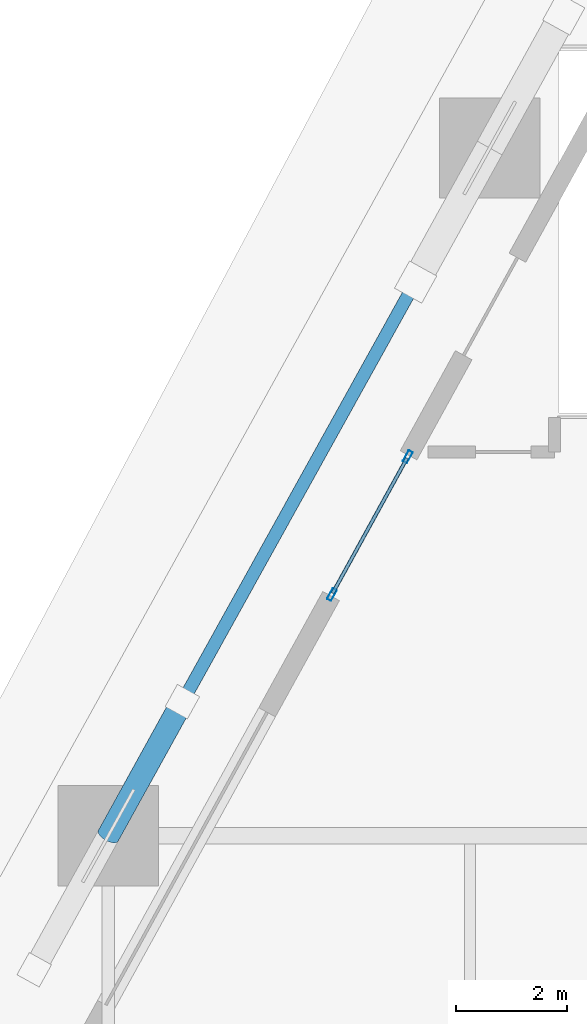
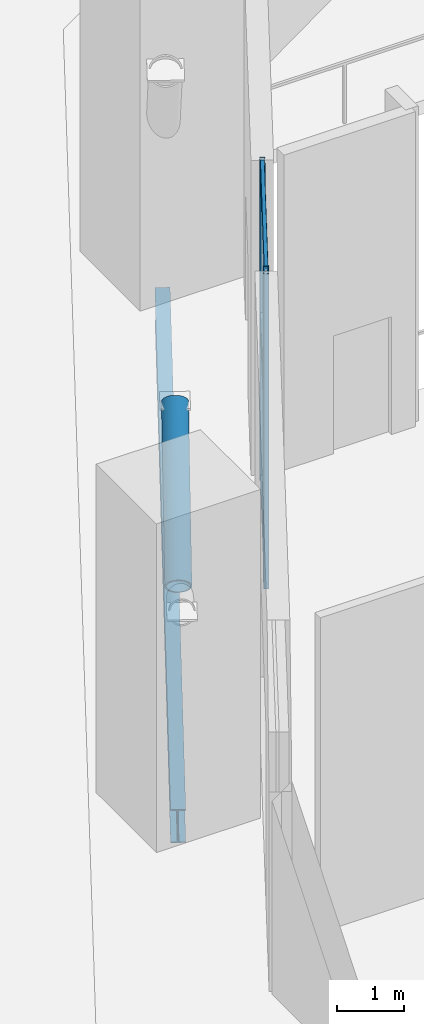
# One storey, part 10 of 22: 6 members, 1 beam, 1 element without a shape of its own.
"""IFC4 building model written with IfcOpenShell, lengths in metres."""

from ifc_helpers import new_model, si_unit, direction, frame, origin, origin_2d, place, context, subcontext, project, spatial, hollow_rectangle, hollow_circle, i_section, extrude, material, layer, layer_set, material_profile, profile_set, type_object, element, aggregate, save


model = new_model("IFC4")

# Units and contexts
model_context = context("Model", 3, precision=1e-05, world=origin(), true_north=direction((0.0, 1.0)))
body_context = subcontext(model_context, "Body", "Model", "MODEL_VIEW")
ifc_project = project(units=[si_unit("LENGTHUNIT", "METRE"), si_unit("AREAUNIT", "SQUARE_METRE"), si_unit("VOLUMEUNIT", "CUBIC_METRE"), si_unit("PLANEANGLEUNIT", "RADIAN"), si_unit("MASSUNIT", "GRAM", prefix="KILO")], contexts=[model_context])

# Site, building, storey
site_placement = place(None, origin())
site = spatial("IfcSite", under=ifc_project, at=site_placement, CompositionType="ELEMENT")
building_placement = place(site_placement, origin())
building = spatial("IfcBuilding", under=site, at=building_placement, Name="Cinnabar Lancet Tower", CompositionType="ELEMENT")
storey_placement = place(building_placement, origin())
storey = spatial("IfcBuildingStorey", under=building, at=storey_placement, Name="L00", CompositionType="ELEMENT", Elevation=0.0)

# Curtain wall, members
ifc_material_1 = material(Name="Thermally broken bronze-anodized aluminium and low-E glass", Category="aluminium")
ifc_layer = layer(ifc_material_1, 0.179931640625)
ifc_layer_set = layer_set([ifc_layer], Name="Thermally broken bronze-anodized aluminium and low-E glass")
curtain_wall_type = type_object("IfcCurtainWallType", Name="ENV-CW-SYS-01", PredefinedType="NOTDEFINED", material=ifc_layer_set)
curtain_wall_placement = place(storey_placement, origin())
curtain_wall = element("IfcCurtainWall", 1, at=curtain_wall_placement, inside=storey, type_object=curtain_wall_type, Name="L00 Face 5 Lobby Curtain Wall", PredefinedType="NOTDEFINED")
ifc_material_2 = material(Name="Anodized architectural aluminium 6063-T6", Category="aluminium")
ifc_material_profile_1 = material_profile(ifc_material_2, hollow_rectangle(XDim=0.0849609375, YDim=0.219970703125, WallThickness=0.0048828125, InnerFilletRadius=0.00244140625, OuterFilletRadius=0.007568359375, at=origin_2d()), Name="CW-MUL 220x85x5")
ifc_profile_set_1 = profile_set([ifc_material_profile_1], Name="Anodized architectural aluminium 6063-T6")
member_type_1 = type_object("IfcMemberType", Name="ENV-CW-MUL-220", PredefinedType="MULLION", material=ifc_profile_set_1)
member_1_placement = place(storey_placement, frame((8.923583984375, 36.2373046875, 0.0), z_axis=(0.0, 0.0, 1.0), x_axis=(-0.875981693706, 0.482344350326, 0.0)))
member_1 = element("IfcMember", 2, at=member_1_placement, type_object=member_type_1, Name="CW-01 mullion 1", PredefinedType="MULLION", context=body_context, shape_type="SweptSolid", body=[
    extrude(hollow_rectangle(XDim=0.0849609375, YDim=0.219970703125, WallThickness=0.0048828125, InnerFilletRadius=0.00244140625, OuterFilletRadius=0.007568359375, at=origin_2d()), origin(), (0.0, 0.0, 1.0), 5.75),
])
member_2_placement = place(storey_placement, frame((10.28662109375, 38.712646484375, 0.0), z_axis=(0.0, 0.0, 1.0), x_axis=(-0.875981693706, 0.482344350326, 0.0)))
member_2 = element("IfcMember", 3, at=member_2_placement, type_object=member_type_1, Name="CW-01 mullion 2", PredefinedType="MULLION", context=body_context, shape_type="SweptSolid", body=[
    extrude(hollow_rectangle(XDim=0.0849609375, YDim=0.219970703125, WallThickness=0.0048828125, InnerFilletRadius=0.00244140625, OuterFilletRadius=0.007568359375, at=origin_2d()), origin(), (0.0, 0.0, 1.0), 5.75),
])
ifc_material_3 = material(Name="Anodized architectural aluminium 6063-T6", Category="aluminium")
ifc_material_profile_2 = material_profile(ifc_material_3, hollow_rectangle(XDim=0.06494140625, YDim=0.14990234375, WallThickness=0.00390625, InnerFilletRadius=0.001953125, OuterFilletRadius=0.006103515625, at=origin_2d()), Name="CW-TRN 150x65x4")
ifc_profile_set_2 = profile_set([ifc_material_profile_2], Name="Anodized architectural aluminium 6063-T6")
member_type_2 = type_object("IfcMemberType", Name="ENV-CW-TRN-160", PredefinedType="USERDEFINED", material=ifc_profile_set_2)
member_3_placement = place(storey_placement, frame((8.93798828125, 36.263671875, 0.030029296875), z_axis=(0.482311769048, 0.875999633241, 0.0), x_axis=(-0.875999633241, 0.482311769048, 0.0)))
member_3 = element("IfcMember", 4, at=member_3_placement, type_object=member_type_2, Name="CW-01 transom 1.1", ObjectType="TRANSOM", PredefinedType="USERDEFINED", context=body_context, shape_type="SweptSolid", body=[
    extrude(hollow_rectangle(XDim=0.06494140625, YDim=0.14990234375, WallThickness=0.00390625, InnerFilletRadius=0.001953125, OuterFilletRadius=0.006103515625, at=origin_2d()), origin(), (0.0, 0.0, 1.0), 2.765869140625),
])
member_4_placement = place(storey_placement, frame((8.93798828125, 36.263671875, 2.989990234375), z_axis=(0.482311769048, 0.875999633241, 0.0), x_axis=(-0.875999633241, 0.482311769048, 0.0)))
member_4 = element("IfcMember", 5, at=member_4_placement, type_object=member_type_2, Name="CW-01 transom 1.2", ObjectType="TRANSOM", PredefinedType="USERDEFINED", context=body_context, shape_type="SweptSolid", body=[
    extrude(hollow_rectangle(XDim=0.06494140625, YDim=0.14990234375, WallThickness=0.00390625, InnerFilletRadius=0.001953125, OuterFilletRadius=0.006103515625, at=origin_2d()), origin(), (0.0, 0.0, 1.0), 2.765869140625),
])
member_5_placement = place(storey_placement, frame((8.93798828125, 36.263671875, 5.719970703125), z_axis=(0.482311769048, 0.875999633241, 0.0), x_axis=(-0.875999633241, 0.482311769048, 0.0)))
member_5 = element("IfcMember", 6, at=member_5_placement, type_object=member_type_2, Name="CW-01 transom 1.3", ObjectType="TRANSOM", PredefinedType="USERDEFINED", context=body_context, shape_type="SweptSolid", body=[
    extrude(hollow_rectangle(XDim=0.06494140625, YDim=0.14990234375, WallThickness=0.00390625, InnerFilletRadius=0.001953125, OuterFilletRadius=0.006103515625, at=origin_2d()), origin(), (0.0, 0.0, 1.0), 2.765869140625),
])
aggregate(curtain_wall, [member_1, member_2, member_3, member_4, member_5])

# Beam
ifc_material_4 = material(Name="Structural steel S355", Category="steel")
ifc_material_profile_3 = material_profile(ifc_material_4, i_section(OverallWidth=0.228271484375, OverallDepth=0.607666015625, WebThickness=0.010986328125, FlangeThickness=0.017333984375, FilletRadius=0.0126953125, at=origin_2d()), Name="UKB 610x229x113")
ifc_profile_set_3 = profile_set([ifc_material_profile_3], Name="Structural steel S355")
beam_type = type_object("IfcBeamType", Name="STR-BM-SPN-610", PredefinedType="SPANDREL", material=ifc_profile_set_3)
beam_placement = place(storey_placement, frame((11.635986328125, 44.037109375, -0.553955078125), z_axis=(-0.485037056876, -0.874493598294, 0.0), x_axis=(0.874493598294, -0.485037056876, 0.0)))
element("IfcBeam", 7, at=beam_placement, inside=storey, type_object=beam_type, Name="L00 Perimeter Spandrel 9", PredefinedType="SPANDREL", context=body_context, shape_type="SweptSolid", body=[
    extrude(i_section(OverallWidth=0.228271484375, OverallDepth=0.607666015625, WebThickness=0.010986328125, FlangeThickness=0.017333984375, FilletRadius=0.0126953125, at=origin_2d()), origin(), (0.0, 0.0, 1.0), 13.619384765625),
])

# Member
ifc_material_5 = material(Name="Structural steel S460", Category="steel")
ifc_material_profile_4 = material_profile(ifc_material_5, hollow_circle(Radius=0.203125, WallThickness=0.02001953125, at=origin_2d()), Name="CHS 406.4x20")
ifc_profile_set_4 = profile_set([ifc_material_profile_4], Name="Structural steel S460")
member_type_3 = type_object("IfcMemberType", Name="STR-MEM-YPIL-406", PredefinedType="STRUT", material=ifc_profile_set_4)
member_6_placement = place(storey_placement, frame((4.908935546875, 31.907958984375, 4.0), z_axis=(0.427834235703, 0.774232329258, 0.466392717666), x_axis=(-0.875256370508, 0.483659266308, 0.0)))
element("IfcMember", 8, at=member_6_placement, inside=storey, type_object=member_type_3, Name="Y-Pilotis Inclined Branch Strut 10A", PredefinedType="STRUT", context=body_context, shape_type="SweptSolid", body=[
    extrude(hollow_circle(Radius=0.203125, WallThickness=0.02001953125, at=origin_2d()), origin(), (0.0, 0.0, 1.0), 3.10888671875),
])

save(model, "model.ifc")
